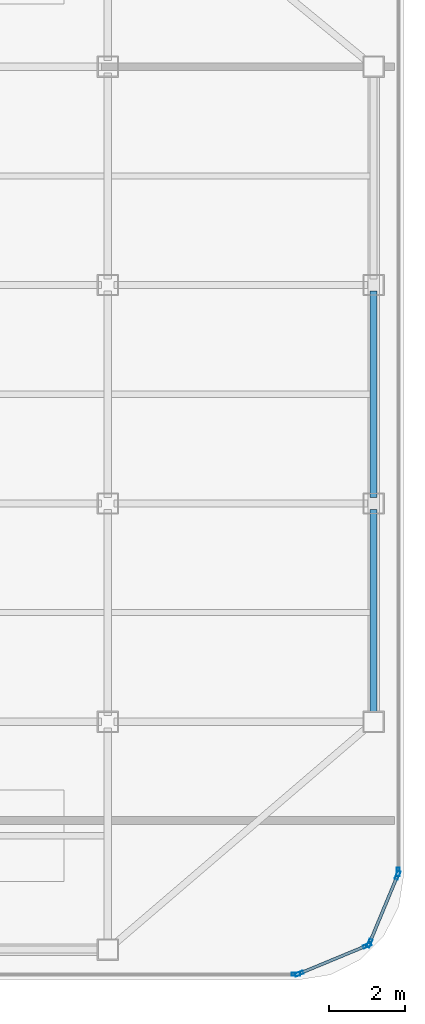
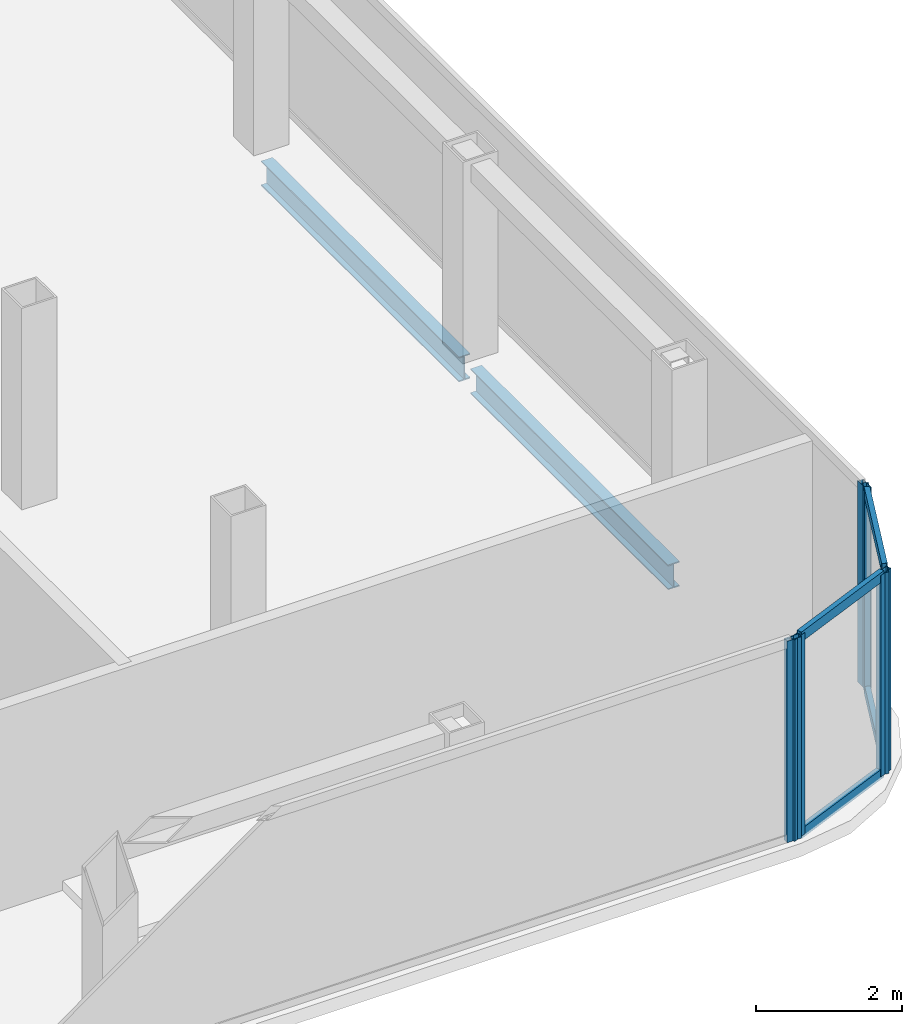
# One storey, part 6 of 11: 10 members, 2 beams, 4 elements without a shape of their own.
"""IFC4 building model written with IfcOpenShell, lengths in metres."""

from ifc_helpers import new_model, si_unit, direction, frame, origin, origin_2d, place, context, subcontext, project, spatial, hollow_rectangle, i_section, extrude, source, transform, mapped, material, layer, layer_set, material_profile, profile_set, type_object, element, aggregate, save


model = new_model("IFC4")

# Units and contexts
model_context = context("Model", 3, precision=1e-05, world=origin(), true_north=direction((0.0, 1.0)))
body_context = subcontext(model_context, "Body", "Model", "MODEL_VIEW")
ifc_project = project(units=[si_unit("LENGTHUNIT", "METRE"), si_unit("AREAUNIT", "SQUARE_METRE"), si_unit("VOLUMEUNIT", "CUBIC_METRE"), si_unit("PLANEANGLEUNIT", "RADIAN"), si_unit("MASSUNIT", "GRAM", prefix="KILO")], contexts=[model_context])

# Site, building, storey
site_placement = place(None, origin())
site = spatial("IfcSite", under=ifc_project, at=site_placement, CompositionType="ELEMENT")
building_placement = place(site_placement, origin())
building = spatial("IfcBuilding", under=site, at=building_placement, Name="Kolveth Station Tower", CompositionType="ELEMENT")
storey_placement = place(building_placement, frame((0.0, 0.0, 278.5)))
storey = spatial("IfcBuildingStorey", under=building, at=storey_placement, Name="L80", CompositionType="ELEMENT", Elevation=278.5)

# Beams
ifc_material_1 = material(Name="Steel S355", Category="steel")
ifc_material_profile_1 = material_profile(ifc_material_1, i_section(OverallWidth=0.180908203125, OverallDepth=0.4169921875, WebThickness=0.010986328125, FlangeThickness=0.018310546875, at=origin_2d()), Name="W410x85")
ifc_profile_set_1 = profile_set([ifc_material_profile_1], Name="Steel S355")
beam_type = type_object("IfcBeamType", Name="Beam_B8", PredefinedType="BEAM", material=ifc_profile_set_1)
shared_shape_1 = source(origin(), body_context, "Body", "SweptSolid", [
    extrude(i_section(OverallWidth=0.180908203125, OverallDepth=0.4169921875, WebThickness=0.010986328125, FlangeThickness=0.018310546875, at=origin_2d()), origin(), (0.0, 0.0, 1.0), 5.43017578125),
])
for number, where, z_axis, x_axis, name in (
    (1, (41.0, 11.659912109375, -0.428466796875), (0.0, 1.0, 0.0), (-1.0, 0.0, 0.0), "L80 Perimeter Spandrel BM-L80-PE-1"),
    (2, (41.0, 17.409912109375, -0.428466796875), (0.0, 1.0, 0.0), (-1.0, 0.0, 0.0), "L80 Perimeter Spandrel BM-L80-PE-2"),
):
    element("IfcBeam", number, at=place(storey_placement, frame(where, z_axis=z_axis, x_axis=x_axis)), inside=storey, type_object=beam_type, Name=name, PredefinedType="BEAM", context=body_context, shape_type="MappedRepresentation", body=[
        mapped(shared_shape_1, transform((0.0, 0.0, 0.0), x_axis=(1.0, 0.0, 0.0), y_axis=(0.0, 1.0, 0.0), z_axis=(0.0, 0.0, 1.0), scale=1.0)),
    ])

# Curtain wall, members
ifc_material_2 = material(Name="Black anodized aluminium 6063-T6 and dark crown glass", Category="aluminium")
ifc_layer = layer(ifc_material_2, 0.169921875)
ifc_layer_set = layer_set([ifc_layer], Name="Black anodized aluminium 6063-T6 and dark crown glass")
curtain_wall_type = type_object("IfcCurtainWallType", Name="CurtainWall_CW-CR", PredefinedType="NOTDEFINED", material=ifc_layer_set)
curtain_wall_1_placement = place(storey_placement, origin())
curtain_wall_1 = element("IfcCurtainWall", 3, at=curtain_wall_1_placement, inside=storey, type_object=curtain_wall_type, Name="L80 Stepped Crown Curtain Wall 1", PredefinedType="NOTDEFINED")
ifc_material_3 = material(Name="Black anodized aluminium 6063-T6", Category="aluminium")
ifc_material_profile_2 = material_profile(ifc_material_3, hollow_rectangle(XDim=0.0849609375, YDim=0.22998046875, WallThickness=0.0048828125, at=origin_2d()), Name="ALU-85x230x5")
ifc_profile_set_2 = profile_set([ifc_material_profile_2], Name="Black anodized aluminium 6063-T6")
member_type_1 = type_object("IfcMemberType", Name="Mullion_ML-CR", PredefinedType="MULLION", material=ifc_profile_set_2)
shared_shape_2 = source(origin(), body_context, "Body", "SweptSolid", [
    extrude(hollow_rectangle(XDim=0.0849609375, YDim=0.22998046875, WallThickness=0.0048828125, at=origin_2d()), origin(), (0.0, 0.0, 1.0), 3.3798828125),
])
member_1_placement = place(storey_placement, frame((39.039306640625, 4.8662109375, 0.0), z_axis=(0.0, 0.0, 1.0), x_axis=(-0.382703054797, 0.92387140439, 0.0)))
member_1 = element("IfcMember", 4, at=member_1_placement, type_object=member_type_1, Name="CW-CR mullion 1", PredefinedType="MULLION", context=body_context, shape_type="MappedRepresentation", body=[
    mapped(shared_shape_2, transform((0.0, 0.0, 0.0), x_axis=(1.0, 0.0, 0.0), y_axis=(0.0, 1.0, 0.0), z_axis=(0.0, 0.0, 1.0), scale=1.0)),
])
member_2_placement = place(storey_placement, frame((40.83447265625, 5.60986328125, 0.0), z_axis=(0.0, 0.0, 1.0), x_axis=(-0.382703054797, 0.92387140439, 0.0)))
member_2 = element("IfcMember", 5, at=member_2_placement, type_object=member_type_1, Name="CW-CR mullion 2", PredefinedType="MULLION", context=body_context, shape_type="MappedRepresentation", body=[
    mapped(shared_shape_2, transform((0.0, 0.0, 0.0), x_axis=(1.0, 0.0, 0.0), y_axis=(0.0, 1.0, 0.0), z_axis=(0.0, 0.0, 1.0), scale=1.0)),
])

curtain_wall_2_placement = place(storey_placement, origin())
curtain_wall_2 = element("IfcCurtainWall", 6, at=curtain_wall_2_placement, inside=storey, type_object=curtain_wall_type, Name="L80 Stepped Crown Curtain Wall 2", PredefinedType="NOTDEFINED")
member_3_placement = place(storey_placement, frame((40.89013671875, 5.66552734375, 0.0), z_axis=(0.0, 0.0, 1.0), x_axis=(-0.92387140439, 0.382703054797, 0.0)))
member_3 = element("IfcMember", 7, at=member_3_placement, type_object=member_type_1, Name="CW-CR mullion 1", PredefinedType="MULLION", context=body_context, shape_type="MappedRepresentation", body=[
    mapped(shared_shape_2, transform((0.0, 0.0, 0.0), x_axis=(1.0, 0.0, 0.0), y_axis=(0.0, 1.0, 0.0), z_axis=(0.0, 0.0, 1.0), scale=1.0)),
])
member_4_placement = place(storey_placement, frame((41.6337890625, 7.460693359375, 0.0), z_axis=(0.0, 0.0, 1.0), x_axis=(-0.92387140439, 0.382703054797, 0.0)))
member_4 = element("IfcMember", 8, at=member_4_placement, type_object=member_type_1, Name="CW-CR mullion 2", PredefinedType="MULLION", context=body_context, shape_type="MappedRepresentation", body=[
    mapped(shared_shape_2, transform((0.0, 0.0, 0.0), x_axis=(1.0, 0.0, 0.0), y_axis=(0.0, 1.0, 0.0), z_axis=(0.0, 0.0, 1.0), scale=1.0)),
])

# Curtain wall, member
curtain_wall_3_placement = place(storey_placement, origin())
curtain_wall_3 = element("IfcCurtainWall", 9, at=curtain_wall_3_placement, inside=storey, type_object=curtain_wall_type, Name="L80 Stepped Crown Curtain Wall 3", PredefinedType="NOTDEFINED")
member_5_placement = place(storey_placement, frame((41.64990234375, 7.54248046875, 0.0), z_axis=(0.0, 0.0, 1.0), x_axis=(-1.0, 0.0, 0.0)))
member_5 = element("IfcMember", 10, at=member_5_placement, type_object=member_type_1, Name="CW-CR mullion 1", PredefinedType="MULLION", context=body_context, shape_type="MappedRepresentation", body=[
    mapped(shared_shape_2, transform((0.0, 0.0, 0.0), x_axis=(1.0, 0.0, 0.0), y_axis=(0.0, 1.0, 0.0), z_axis=(0.0, 0.0, 1.0), scale=1.0)),
])
aggregate(curtain_wall_3, [member_5])

curtain_wall_4_placement = place(storey_placement, origin())
curtain_wall_4 = element("IfcCurtainWall", 11, at=curtain_wall_4_placement, inside=storey, type_object=curtain_wall_type, Name="L80 Stepped Crown Curtain Wall 12", PredefinedType="NOTDEFINED")
member_6_placement = place(storey_placement, frame((38.95751953125, 4.85009765625, 0.0), z_axis=(0.0, 0.0, 1.0), x_axis=(0.0, 1.0, 0.0)))
member_6 = element("IfcMember", 12, at=member_6_placement, type_object=member_type_1, Name="CW-CR mullion 2", PredefinedType="MULLION", context=body_context, shape_type="MappedRepresentation", body=[
    mapped(shared_shape_2, transform((0.0, 0.0, 0.0), x_axis=(1.0, 0.0, 0.0), y_axis=(0.0, 1.0, 0.0), z_axis=(0.0, 0.0, 1.0), scale=1.0)),
])
aggregate(curtain_wall_4, [member_6])

# Member
ifc_material_profile_3 = material_profile(ifc_material_3, hollow_rectangle(XDim=0.080078125, YDim=0.1650390625, WallThickness=0.0048828125, at=origin_2d()), Name="ALU-80x165x5")
ifc_profile_set_3 = profile_set([ifc_material_profile_3], Name="Black anodized aluminium 6063-T6")
member_type_2 = type_object("IfcMemberType", Name="Transom_TR-CR", PredefinedType="USERDEFINED", material=ifc_profile_set_3)
shared_shape_3 = source(origin(), body_context, "Body", "SweptSolid", [
    extrude(hollow_rectangle(XDim=0.080078125, YDim=0.1650390625, WallThickness=0.0048828125, at=origin_2d()), origin(), (0.0, 0.0, 1.0), 1.858154296875),
])
member_7_placement = place(storey_placement, frame((39.07861328125, 4.882568359375, 0.0400390625), z_axis=(0.923848662362, 0.382757950997, 0.0), x_axis=(-0.382757950997, 0.923848662362, 0.0)))
member_7 = element("IfcMember", 13, at=member_7_placement, type_object=member_type_2, Name="CW-CR transom 1.1", ObjectType="TRANSOM", PredefinedType="USERDEFINED", context=body_context, shape_type="MappedRepresentation", body=[
    mapped(shared_shape_3, transform((0.0, 0.0, 0.0), x_axis=(1.0, 0.0, 0.0), y_axis=(0.0, 1.0, 0.0), z_axis=(0.0, 0.0, 1.0), scale=1.0)),
])

member_8_placement = place(storey_placement, frame((39.07861328125, 4.882568359375, 3.340087890625), z_axis=(0.923848662362, 0.382757950997, 0.0), x_axis=(-0.382757950997, 0.923848662362, 0.0)))
member_8 = element("IfcMember", 14, at=member_8_placement, type_object=member_type_2, Name="CW-CR transom 1.2", ObjectType="TRANSOM", PredefinedType="USERDEFINED", context=body_context, shape_type="MappedRepresentation", body=[
    mapped(shared_shape_3, transform((0.0, 0.0, 0.0), x_axis=(1.0, 0.0, 0.0), y_axis=(0.0, 1.0, 0.0), z_axis=(0.0, 0.0, 1.0), scale=1.0)),
])

aggregate(curtain_wall_1, [member_1, member_2, member_7, member_8])

member_9_placement = place(storey_placement, frame((40.90625, 5.704833984375, 0.0400390625), z_axis=(0.382757950997, 0.923848662362, 0.0), x_axis=(-0.923848662362, 0.382757950997, 0.0)))
member_9 = element("IfcMember", 15, at=member_9_placement, type_object=member_type_2, Name="CW-CR transom 1.1", ObjectType="TRANSOM", PredefinedType="USERDEFINED", context=body_context, shape_type="MappedRepresentation", body=[
    mapped(shared_shape_3, transform((0.0, 0.0, 0.0), x_axis=(1.0, 0.0, 0.0), y_axis=(0.0, 1.0, 0.0), z_axis=(0.0, 0.0, 1.0), scale=1.0)),
])

member_10_placement = place(storey_placement, frame((40.90625, 5.704833984375, 3.340087890625), z_axis=(0.382757950997, 0.923848662362, 0.0), x_axis=(-0.923848662362, 0.382757950997, 0.0)))
member_10 = element("IfcMember", 16, at=member_10_placement, type_object=member_type_2, Name="CW-CR transom 1.2", ObjectType="TRANSOM", PredefinedType="USERDEFINED", context=body_context, shape_type="MappedRepresentation", body=[
    mapped(shared_shape_3, transform((0.0, 0.0, 0.0), x_axis=(1.0, 0.0, 0.0), y_axis=(0.0, 1.0, 0.0), z_axis=(0.0, 0.0, 1.0), scale=1.0)),
])

aggregate(curtain_wall_2, [member_3, member_4, member_9, member_10])

save(model, "model.ifc")
